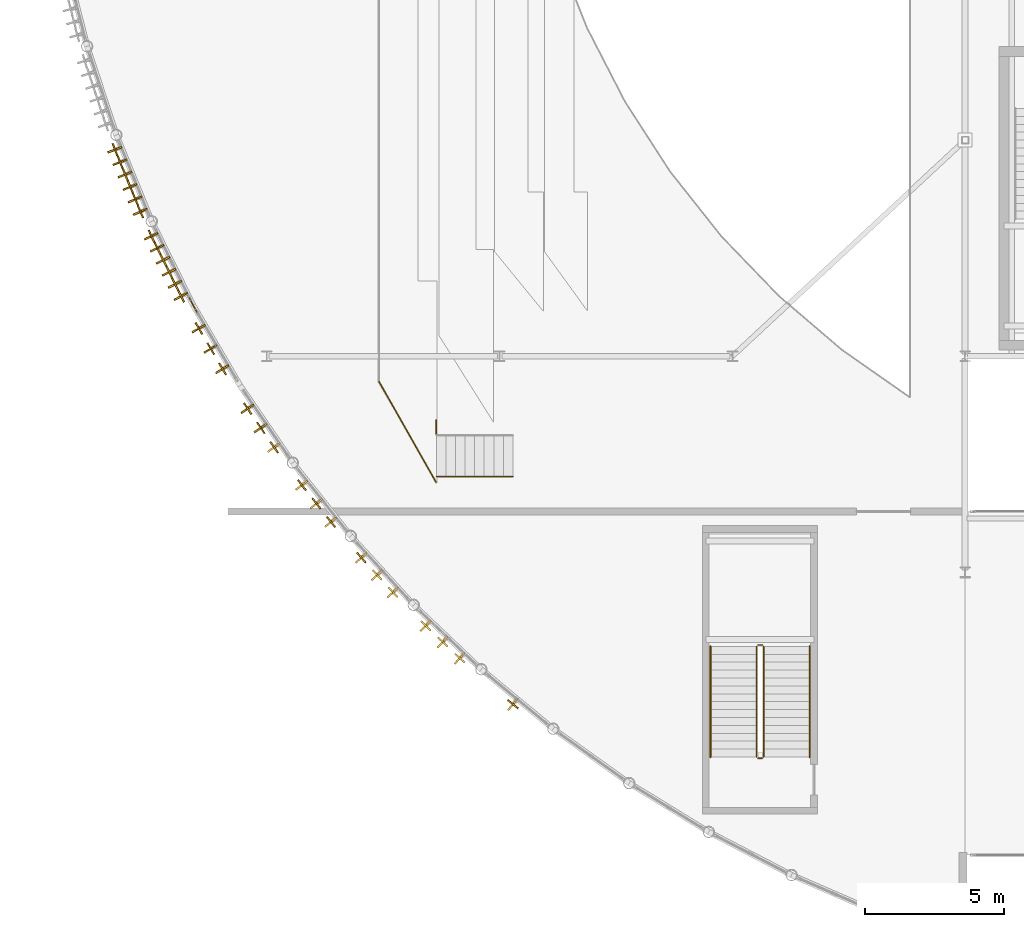
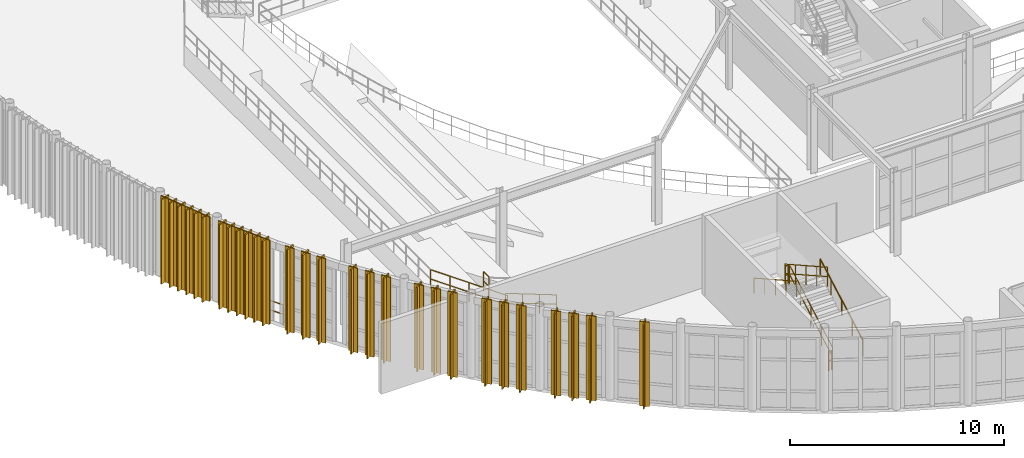
# One storey, part 106 of 116: 28 coverings, 28 shading devices, 10 railings.
"""IFC4 building model written with IfcOpenShell, lengths in metres."""

from ifc_helpers import new_model, si_unit, direction, frame, origin, origin_2d, place, context, subcontext, project, spatial, polyline, rectangle, circle, outline, extrude, material, layer, layer_set, material_profile, profile_set, type_object, element, save


model = new_model("IFC4")

# Units and contexts
model_context = context("Model", 3, precision=1e-05, world=origin(), true_north=direction((0.0, 1.0)))
body_context = subcontext(model_context, "Body", "Model", "MODEL_VIEW")
ifc_project = project(units=[si_unit("LENGTHUNIT", "METRE"), si_unit("AREAUNIT", "SQUARE_METRE"), si_unit("VOLUMEUNIT", "CUBIC_METRE"), si_unit("PLANEANGLEUNIT", "RADIAN"), si_unit("MASSUNIT", "GRAM", prefix="KILO")], contexts=[model_context])

# Site, building, storey
site_placement = place(None, origin())
site = spatial("IfcSite", under=ifc_project, at=site_placement, CompositionType="ELEMENT")
building_placement = place(site_placement, origin())
building = spatial("IfcBuilding", under=site, at=building_placement, Name="Selat Folded Stagehouse", CompositionType="ELEMENT")
storey_placement = place(building_placement, frame((0.0, 0.0, 5.39990234375)))
storey = spatial("IfcBuildingStorey", under=building, at=storey_placement, Name="L01", CompositionType="ELEMENT", Elevation=5.39990234375)

# Coverings
ifc_material_1 = material(Name="Bronze-anodised aluminium 6063-T6", Category="aluminium")
ifc_layer_1 = layer(ifc_material_1, 0.06201171875)
ifc_layer_set_1 = layer_set([ifc_layer_1], Name="Bronze-anodised aluminium 6063-T6")
covering_type = type_object("IfcCoveringType", Name="COV-FIN-BRZ48", PredefinedType="CLADDING", material=ifc_layer_set_1)
covering_1_placement = place(storey_placement, frame((0.0, 0.0, -0.099853515625)))
element("IfcCovering", 1, at=covering_1_placement, inside=storey, type_object=covering_type, Name="L01 drum bronze fin cladding sheath 248", PredefinedType="CLADDING", context=body_context, shape_type="SweptSolid", body=[
    extrude(outline(polyline([(3.1572265625, 30.975830078125), (2.652587890625, 30.78369140625), (2.67529296875, 30.72412109375), (3.179931640625, 30.916015625), (3.1572265625, 30.975830078125)])), origin(), (0.0, 0.0, 1.0), 4.820068359375),
])
covering_2_placement = place(storey_placement, frame((0.0, 0.0, -0.099853515625)))
element("IfcCovering", 2, at=covering_2_placement, inside=storey, type_object=covering_type, Name="L01 drum bronze fin cladding sheath 254", PredefinedType="CLADDING", context=body_context, shape_type="SweptSolid", body=[
    extrude(outline(polyline([(3.339111328125, 30.530517578125), (2.83642578125, 30.33349609375), (2.85986328125, 30.27392578125), (3.362548828125, 30.470947265625), (3.339111328125, 30.530517578125)])), origin(), (0.0, 0.0, 1.0), 4.820068359375),
])
covering_3_placement = place(storey_placement, frame((0.0, 0.0, -0.099853515625)))
element("IfcCovering", 3, at=covering_3_placement, inside=storey, type_object=covering_type, Name="L01 drum bronze fin cladding sheath 260", PredefinedType="CLADDING", context=body_context, shape_type="SweptSolid", body=[
    extrude(outline(polyline([(3.521240234375, 30.085205078125), (3.0205078125, 29.883056640625), (3.04443359375, 29.82373046875), (3.545166015625, 30.02587890625), (3.521240234375, 30.085205078125)])), origin(), (0.0, 0.0, 1.0), 4.820068359375),
])
covering_4_placement = place(storey_placement, frame((0.0, 0.0, -0.099853515625)))
element("IfcCovering", 4, at=covering_4_placement, inside=storey, type_object=covering_type, Name="L01 drum bronze fin cladding sheath 266", PredefinedType="CLADDING", context=body_context, shape_type="SweptSolid", body=[
    extrude(outline(polyline([(3.703125, 29.639892578125), (3.20458984375, 29.4326171875), (3.22900390625, 29.37353515625), (3.727783203125, 29.580810546875), (3.703125, 29.639892578125)])), origin(), (0.0, 0.0, 1.0), 4.820068359375),
])
covering_5_placement = place(storey_placement, frame((0.0, 0.0, -0.099853515625)))
element("IfcCovering", 5, at=covering_5_placement, inside=storey, type_object=covering_type, Name="L01 drum bronze fin cladding sheath 272", PredefinedType="CLADDING", context=body_context, shape_type="SweptSolid", body=[
    extrude(outline(polyline([(3.885009765625, 29.194580078125), (3.388427734375, 28.982421875), (3.413818359375, 28.923583984375), (3.910400390625, 29.135498046875), (3.885009765625, 29.194580078125)])), origin(), (0.0, 0.0, 1.0), 4.820068359375),
])
covering_6_placement = place(storey_placement, frame((0.0, 0.0, -0.099853515625)))
element("IfcCovering", 6, at=covering_6_placement, inside=storey, type_object=covering_type, Name="L01 drum bronze fin cladding sheath 278", PredefinedType="CLADDING", context=body_context, shape_type="SweptSolid", body=[
    extrude(outline(polyline([(4.067138671875, 28.7490234375), (3.57275390625, 28.531982421875), (3.598388671875, 28.473388671875), (4.0927734375, 28.6904296875), (4.067138671875, 28.7490234375)])), origin(), (0.0, 0.0, 1.0), 4.820068359375),
])
covering_7_placement = place(storey_placement, frame((0.0, 0.0, -0.099853515625)))
element("IfcCovering", 7, at=covering_7_placement, inside=storey, type_object=covering_type, Name="L01 drum bronze fin cladding sheath 284", PredefinedType="CLADDING", context=body_context, shape_type="SweptSolid", body=[
    extrude(outline(polyline([(4.4619140625, 27.872314453125), (3.9716796875, 27.6455078125), (3.998779296875, 27.58740234375), (4.48876953125, 27.814208984375), (4.4619140625, 27.872314453125)])), origin(), (0.0, 0.0, 1.0), 4.820068359375),
])
covering_8_placement = place(storey_placement, frame((0.0, 0.0, -0.099853515625)))
element("IfcCovering", 8, at=covering_8_placement, inside=storey, type_object=covering_type, Name="L01 drum bronze fin cladding sheath 290", PredefinedType="CLADDING", context=body_context, shape_type="SweptSolid", body=[
    extrude(outline(polyline([(4.674560546875, 27.44091796875), (4.18701171875, 27.208984375), (4.21435546875, 27.151123046875), (4.7021484375, 27.383056640625), (4.674560546875, 27.44091796875)])), origin(), (0.0, 0.0, 1.0), 4.820068359375),
])
covering_9_placement = place(storey_placement, frame((0.0, 0.0, -0.099853515625)))
element("IfcCovering", 9, at=covering_9_placement, inside=storey, type_object=covering_type, Name="L01 drum bronze fin cladding sheath 296", PredefinedType="CLADDING", context=body_context, shape_type="SweptSolid", body=[
    extrude(outline(polyline([(4.887451171875, 27.00927734375), (4.402099609375, 26.772705078125), (4.43017578125, 26.715087890625), (4.915283203125, 26.951904296875), (4.887451171875, 27.00927734375)])), origin(), (0.0, 0.0, 1.0), 4.820068359375),
])
covering_10_placement = place(storey_placement, frame((0.0, 0.0, -0.099853515625)))
element("IfcCovering", 10, at=covering_10_placement, inside=storey, type_object=covering_type, Name="L01 drum bronze fin cladding sheath 302", PredefinedType="CLADDING", context=body_context, shape_type="SweptSolid", body=[
    extrude(outline(polyline([(5.10009765625, 26.577880859375), (4.6171875, 26.336181640625), (4.645751953125, 26.279052734375), (5.12890625, 26.5205078125), (5.10009765625, 26.577880859375)])), origin(), (0.0, 0.0, 1.0), 4.820068359375),
])
covering_11_placement = place(storey_placement, frame((0.0, 0.0, -0.099853515625)))
element("IfcCovering", 11, at=covering_11_placement, inside=storey, type_object=covering_type, Name="L01 drum bronze fin cladding sheath 308", PredefinedType="CLADDING", context=body_context, shape_type="SweptSolid", body=[
    extrude(outline(polyline([(5.31298828125, 26.146484375), (4.83251953125, 25.89990234375), (4.861572265625, 25.843017578125), (5.342041015625, 26.08935546875), (5.31298828125, 26.146484375)])), origin(), (0.0, 0.0, 1.0), 4.820068359375),
])
covering_12_placement = place(storey_placement, frame((0.0, 0.0, -0.099853515625)))
element("IfcCovering", 12, at=covering_12_placement, inside=storey, type_object=covering_type, Name="L01 drum bronze fin cladding sheath 314", PredefinedType="CLADDING", context=body_context, shape_type="SweptSolid", body=[
    extrude(outline(polyline([(5.525634765625, 25.71484375), (5.047607421875, 25.463623046875), (5.077392578125, 25.406982421875), (5.555419921875, 25.658203125), (5.525634765625, 25.71484375)])), origin(), (0.0, 0.0, 1.0), 4.820068359375),
])
covering_13_placement = place(storey_placement, frame((0.0, 0.0, -0.099853515625)))
element("IfcCovering", 13, at=covering_13_placement, inside=storey, type_object=covering_type, Name="L01 drum bronze fin cladding sheath 320", PredefinedType="CLADDING", context=body_context, shape_type="SweptSolid", body=[
    extrude(outline(polyline([(6.162841796875, 24.556396484375), (5.69189453125, 24.2919921875), (5.72314453125, 24.236083984375), (6.194091796875, 24.50048828125), (6.162841796875, 24.556396484375)])), origin(), (0.0, 0.0, 1.0), 4.820068359375),
])
covering_14_placement = place(storey_placement, frame((0.0, 0.0, -0.099853515625)))
element("IfcCovering", 14, at=covering_14_placement, inside=storey, type_object=covering_type, Name="L01 drum bronze fin cladding sheath 326", PredefinedType="CLADDING", context=body_context, shape_type="SweptSolid", body=[
    extrude(outline(polyline([(6.587158203125, 23.8291015625), (6.12109375, 23.556640625), (6.1533203125, 23.50146484375), (6.619384765625, 23.77392578125), (6.587158203125, 23.8291015625)])), origin(), (0.0, 0.0, 1.0), 4.820068359375),
])
covering_15_placement = place(storey_placement, frame((0.0, 0.0, -0.099853515625)))
element("IfcCovering", 15, at=covering_15_placement, inside=storey, type_object=covering_type, Name="L01 drum bronze fin cladding sheath 332", PredefinedType="CLADDING", context=body_context, shape_type="SweptSolid", body=[
    extrude(outline(polyline([(7.01171875, 23.10205078125), (6.55029296875, 22.8212890625), (6.58349609375, 22.7666015625), (7.044921875, 23.04736328125), (7.01171875, 23.10205078125)])), origin(), (0.0, 0.0, 1.0), 4.820068359375),
])
covering_16_placement = place(storey_placement, frame((0.0, 0.0, -0.099853515625)))
element("IfcCovering", 16, at=covering_16_placement, inside=storey, type_object=covering_type, Name="L01 drum bronze fin cladding sheath 338", PredefinedType="CLADDING", context=body_context, shape_type="SweptSolid", body=[
    extrude(outline(polyline([(7.910400390625, 21.679443359375), (7.458984375, 21.3828125), (7.494384765625, 21.329345703125), (7.945556640625, 21.6259765625), (7.910400390625, 21.679443359375)])), origin(), (0.0, 0.0, 1.0), 4.820068359375),
])
covering_17_placement = place(storey_placement, frame((0.0, 0.0, -0.099853515625)))
element("IfcCovering", 17, at=covering_17_placement, inside=storey, type_object=covering_type, Name="L01 drum bronze fin cladding sheath 344", PredefinedType="CLADDING", context=body_context, shape_type="SweptSolid", body=[
    extrude(outline(polyline([(8.384765625, 20.98388671875), (7.938720703125, 20.67919921875), (7.974853515625, 20.62646484375), (8.4208984375, 20.930908203125), (8.384765625, 20.98388671875)])), origin(), (0.0, 0.0, 1.0), 4.820068359375),
])
covering_18_placement = place(storey_placement, frame((0.0, 0.0, -0.099853515625)))
element("IfcCovering", 18, at=covering_18_placement, inside=storey, type_object=covering_type, Name="L01 drum bronze fin cladding sheath 350", PredefinedType="CLADDING", context=body_context, shape_type="SweptSolid", body=[
    extrude(outline(polyline([(8.85888671875, 20.288330078125), (8.41845703125, 19.97607421875), (8.45556640625, 19.923828125), (8.89599609375, 20.236083984375), (8.85888671875, 20.288330078125)])), origin(), (0.0, 0.0, 1.0), 4.820068359375),
])
covering_19_placement = place(storey_placement, frame((0.0, 0.0, -0.099853515625)))
element("IfcCovering", 19, at=covering_19_placement, inside=storey, type_object=covering_type, Name="L01 drum bronze fin cladding sheath 356", PredefinedType="CLADDING", context=body_context, shape_type="SweptSolid", body=[
    extrude(outline(polyline([(9.855224609375, 18.93212890625), (9.426025390625, 18.6044921875), (9.46484375, 18.5537109375), (9.89404296875, 18.88134765625), (9.855224609375, 18.93212890625)])), origin(), (0.0, 0.0, 1.0), 4.820068359375),
])
covering_20_placement = place(storey_placement, frame((0.0, 0.0, -0.099853515625)))
element("IfcCovering", 20, at=covering_20_placement, inside=storey, type_object=covering_type, Name="L01 drum bronze fin cladding sheath 362", PredefinedType="CLADDING", context=body_context, shape_type="SweptSolid", body=[
    extrude(outline(polyline([(10.377197265625, 18.271484375), (9.953857421875, 17.9365234375), (9.993408203125, 17.88623046875), (10.4169921875, 18.221435546875), (10.377197265625, 18.271484375)])), origin(), (0.0, 0.0, 1.0), 4.820068359375),
])
covering_21_placement = place(storey_placement, frame((0.0, 0.0, -0.099853515625)))
element("IfcCovering", 21, at=covering_21_placement, inside=storey, type_object=covering_type, Name="L01 drum bronze fin cladding sheath 368", PredefinedType="CLADDING", context=body_context, shape_type="SweptSolid", body=[
    extrude(outline(polyline([(10.899169921875, 17.611083984375), (10.481689453125, 17.2685546875), (10.522216796875, 17.218994140625), (10.939697265625, 17.5615234375), (10.899169921875, 17.611083984375)])), origin(), (0.0, 0.0, 1.0), 4.820068359375),
])
covering_22_placement = place(storey_placement, frame((0.0, 0.0, -0.099853515625)))
element("IfcCovering", 22, at=covering_22_placement, inside=storey, type_object=covering_type, Name="L01 drum bronze fin cladding sheath 374", PredefinedType="CLADDING", context=body_context, shape_type="SweptSolid", body=[
    extrude(outline(polyline([(11.98828125, 16.328125), (11.5830078125, 15.97119140625), (11.625244140625, 15.923095703125), (12.030517578125, 16.280029296875), (11.98828125, 16.328125)])), origin(), (0.0, 0.0, 1.0), 4.820068359375),
])
covering_23_placement = place(storey_placement, frame((0.0, 0.0, -0.099853515625)))
element("IfcCovering", 23, at=covering_23_placement, inside=storey, type_object=covering_type, Name="L01 drum bronze fin cladding sheath 380", PredefinedType="CLADDING", context=body_context, shape_type="SweptSolid", body=[
    extrude(outline(polyline([(12.555419921875, 15.705810546875), (12.15625, 15.341796875), (12.199462890625, 15.294677734375), (12.598388671875, 15.658447265625), (12.555419921875, 15.705810546875)])), origin(), (0.0, 0.0, 1.0), 4.820068359375),
])
covering_24_placement = place(storey_placement, frame((0.0, 0.0, -0.099853515625)))
element("IfcCovering", 24, at=covering_24_placement, inside=storey, type_object=covering_type, Name="L01 drum bronze fin cladding sheath 386", PredefinedType="CLADDING", context=body_context, shape_type="SweptSolid", body=[
    extrude(outline(polyline([(13.122314453125, 15.08349609375), (12.729736328125, 14.712646484375), (12.773681640625, 14.666015625), (13.166259765625, 15.037109375), (13.122314453125, 15.08349609375)])), origin(), (0.0, 0.0, 1.0), 4.820068359375),
])
covering_25_placement = place(storey_placement, frame((0.0, 0.0, -0.099853515625)))
element("IfcCovering", 25, at=covering_25_placement, inside=storey, type_object=covering_type, Name="L01 drum bronze fin cladding sheath 392", PredefinedType="CLADDING", context=body_context, shape_type="SweptSolid", body=[
    extrude(outline(polyline([(14.298583984375, 13.880126953125), (13.919189453125, 13.49560546875), (13.96484375, 13.45068359375), (14.343994140625, 13.835205078125), (14.298583984375, 13.880126953125)])), origin(), (0.0, 0.0, 1.0), 4.820068359375),
])
covering_26_placement = place(storey_placement, frame((0.0, 0.0, -0.099853515625)))
element("IfcCovering", 26, at=covering_26_placement, inside=storey, type_object=covering_type, Name="L01 drum bronze fin cladding sheath 398", PredefinedType="CLADDING", context=body_context, shape_type="SweptSolid", body=[
    extrude(outline(polyline([(14.90771484375, 13.299072265625), (14.535400390625, 12.908203125), (14.581787109375, 12.864013671875), (14.9541015625, 13.2548828125), (14.90771484375, 13.299072265625)])), origin(), (0.0, 0.0, 1.0), 4.820068359375),
])
covering_27_placement = place(storey_placement, frame((0.0, 0.0, -0.099853515625)))
element("IfcCovering", 27, at=covering_27_placement, inside=storey, type_object=covering_type, Name="L01 drum bronze fin cladding sheath 404", PredefinedType="CLADDING", context=body_context, shape_type="SweptSolid", body=[
    extrude(outline(polyline([(15.51708984375, 12.718017578125), (15.151611328125, 12.320556640625), (15.19873046875, 12.277099609375), (15.564208984375, 12.6748046875), (15.51708984375, 12.718017578125)])), origin(), (0.0, 0.0, 1.0), 4.820068359375),
])
covering_28_placement = place(storey_placement, frame((0.0, 0.0, -0.099853515625)))
element("IfcCovering", 28, at=covering_28_placement, inside=storey, type_object=covering_type, Name="L01 drum bronze fin cladding sheath 410", PredefinedType="CLADDING", context=body_context, shape_type="SweptSolid", body=[
    extrude(outline(polyline([(17.42333984375, 11.0634765625), (17.079345703125, 10.647216796875), (17.128662109375, 10.6064453125), (17.47265625, 11.022705078125), (17.42333984375, 11.0634765625)])), origin(), (0.0, 0.0, 1.0), 4.820068359375),
])

# Railings
ifc_material_2 = material(Name="Bronze-anodised steel balustrade", Category="steel")
ifc_layer_2 = layer(ifc_material_2, 0.06494140625)
ifc_layer_set_2 = layer_set([ifc_layer_2], Name="Bronze-anodised steel balustrade")
railing_type_1 = type_object("IfcRailingType", Name="RLG-BAL-1120", PredefinedType="BALUSTRADE", material=ifc_layer_set_2)
railing_1_placement = place(storey_placement, frame((14.510009765625, 18.85009765625, 1.215087890625)))
element("IfcRailing", 29, at=railing_1_placement, inside=storey, type_object=railing_type_1, Name="L01 protective guard railing 016", PredefinedType="BALUSTRADE", context=body_context, shape_type="SweptSolid", body=[
    extrude(circle(Radius=0.02392578125, at=origin_2d()), frame((0.0, 0.0, 1.09619140625), z_axis=(-0.492952135797, 0.870056430247, 0.0), x_axis=(-0.870056430247, -0.492952135797, 0.0)), (0.0, 0.0, 1.0), 4.178955078125),
    extrude(circle(Radius=0.02392578125, at=origin_2d()), frame((0.0, 0.0, 0.56005859375), z_axis=(-0.492952135797, 0.870056430247, 0.0), x_axis=(-0.870056430247, -0.492952135797, 0.0)), (0.0, 0.0, 1.0), 4.178955078125),
    extrude(circle(Radius=0.02099609375, at=origin_2d()), origin(), (0.0, 0.0, 1.0), 1.072021484375),
    extrude(circle(Radius=0.02099609375, at=origin_2d()), frame((-0.51513671875, 0.908935546875, 0.0)), (0.0, 0.0, 1.0), 1.072021484375),
    extrude(circle(Radius=0.02099609375, at=origin_2d()), frame((-1.030029296875, 1.81787109375, 0.0)), (0.0, 0.0, 1.0), 1.072021484375),
    extrude(circle(Radius=0.02099609375, at=origin_2d()), frame((-1.544921875, 2.72705078125, 0.0)), (0.0, 0.0, 1.0), 1.072021484375),
    extrude(circle(Radius=0.02099609375, at=origin_2d()), frame((-2.06005859375, 3.635986328125, 0.0)), (0.0, 0.0, 1.0), 1.072021484375),
])
railing_2_placement = place(storey_placement, frame((14.510009765625, 20.60009765625, 1.215087890625)))
element("IfcRailing", 30, at=railing_2_placement, inside=storey, type_object=railing_type_1, Name="L01 protective guard railing 019", PredefinedType="BALUSTRADE", context=body_context, shape_type="SweptSolid", body=[
    extrude(circle(Radius=0.02392578125, at=origin_2d()), frame((0.0, 0.0, 1.09619140625), z_axis=(0.0, 1.0, 0.0), x_axis=(-1.0, 0.0, 0.0)), (0.0, 0.0, 1.0), 0.5),
    extrude(circle(Radius=0.02392578125, at=origin_2d()), frame((0.0, 0.0, 0.56005859375), z_axis=(0.0, 1.0, 0.0), x_axis=(-1.0, 0.0, 0.0)), (0.0, 0.0, 1.0), 0.5),
    extrude(circle(Radius=0.02099609375, at=origin_2d()), origin(), (0.0, 0.0, 1.0), 1.072021484375),
    extrude(circle(Radius=0.02099609375, at=origin_2d()), frame((0.0, 0.5, 0.0)), (0.0, 0.0, 1.0), 1.072021484375),
])
railing_3_placement = place(storey_placement, frame((5.89990234375, 24.949951171875, 0.0)))
element("IfcRailing", 31, at=railing_3_placement, inside=storey, type_object=railing_type_1, Name="L01 drum mullion step guard", PredefinedType="BALUSTRADE", context=body_context, shape_type="SweptSolid", body=[
    extrude(circle(Radius=0.02392578125, at=origin_2d()), frame((0.0, 0.0, 1.09619140625), z_axis=(-0.473863173151, 0.880598485765, 0.0), x_axis=(-0.880598485765, -0.473863173151, 0.0)), (0.0, 0.0, 1.0), 0.73828125),
    extrude(circle(Radius=0.02392578125, at=origin_2d()), frame((0.0, 0.0, 0.56005859375), z_axis=(-0.473863173151, 0.880598485765, 0.0), x_axis=(-0.880598485765, -0.473863173151, 0.0)), (0.0, 0.0, 1.0), 0.73828125),
    extrude(circle(Radius=0.02099609375, at=origin_2d()), origin(), (0.0, 0.0, 1.0), 1.072021484375),
    extrude(circle(Radius=0.02099609375, at=origin_2d()), frame((-0.349853515625, 0.650146484375, 0.0)), (0.0, 0.0, 1.0), 1.072021484375),
])
railing_4_placement = place(storey_placement, frame((26.330078125, 8.93994140625, 0.16015625)))
element("IfcRailing", 32, at=railing_4_placement, inside=storey, type_object=railing_type_1, Name="L01 ST-09 stair well guard 1", PredefinedType="BALUSTRADE", context=body_context, shape_type="SweptSolid", body=[
    extrude(circle(Radius=0.02392578125, at=origin_2d()), frame((0.0, 0.0, 1.09619140625), z_axis=(0.0, 0.871984184956, 0.489534044972), x_axis=(-1.0, 0.0, 0.0)), (0.0, 0.0, 1.0), 4.57568359375),
    extrude(circle(Radius=0.02392578125, at=origin_2d()), frame((0.0, 0.0, 0.56005859375), z_axis=(0.0, 0.871984184956, 0.489534044972), x_axis=(-1.0, 0.0, 0.0)), (0.0, 0.0, 1.0), 4.57568359375),
    extrude(circle(Radius=0.02099609375, at=origin_2d()), origin(), (0.0, 0.0, 1.0), 1.072021484375),
    extrude(circle(Radius=0.02099609375, at=origin_2d()), frame((0.0, 0.99755859375, 0.56005859375)), (0.0, 0.0, 1.0), 1.072021484375),
    extrude(circle(Radius=0.02099609375, at=origin_2d()), frame((0.0, 1.9951171875, 1.1201171875)), (0.0, 0.0, 1.0), 1.072021484375),
    extrude(circle(Radius=0.02099609375, at=origin_2d()), frame((0.0, 2.992431640625, 1.679931640625)), (0.0, 0.0, 1.0), 1.072021484375),
    extrude(circle(Radius=0.02099609375, at=origin_2d()), frame((0.0, 3.989990234375, 2.239990234375)), (0.0, 0.0, 1.0), 1.072021484375),
])
railing_5_placement = place(storey_placement, frame((26.280029296875, 12.97998046875, 2.400146484375)))
element("IfcRailing", 33, at=railing_5_placement, inside=storey, type_object=railing_type_1, Name="L01 ST-09 stair well guard 2", PredefinedType="BALUSTRADE", context=body_context, shape_type="SweptSolid", body=[
    extrude(circle(Radius=0.02392578125, at=origin_2d()), frame((0.0, 0.0, 1.09619140625), z_axis=(-1.0, 0.0, 0.0), x_axis=(0.0, -1.0, 0.0)), (0.0, 0.0, 1.0), 0.159912109375),
    extrude(circle(Radius=0.02392578125, at=origin_2d()), frame((0.0, 0.0, 0.56005859375), z_axis=(-1.0, 0.0, 0.0), x_axis=(0.0, -1.0, 0.0)), (0.0, 0.0, 1.0), 0.159912109375),
    extrude(circle(Radius=0.02099609375, at=origin_2d()), origin(), (0.0, 0.0, 1.0), 1.072021484375),
    extrude(circle(Radius=0.02099609375, at=origin_2d()), frame((-0.159912109375, 0.0, 0.0)), (0.0, 0.0, 1.0), 1.072021484375),
])
railing_6_placement = place(storey_placement, frame((26.070068359375, 12.929931640625, 2.56005859375)))
element("IfcRailing", 34, at=railing_6_placement, inside=storey, type_object=railing_type_1, Name="L01 ST-09 stair well guard 3", PredefinedType="BALUSTRADE", context=body_context, shape_type="SweptSolid", body=[
    extrude(circle(Radius=0.02392578125, at=origin_2d()), frame((0.0, 0.0, 1.09619140625), z_axis=(0.0, -0.871984184956, 0.489534044972), x_axis=(1.0, 0.0, 0.0)), (0.0, 0.0, 1.0), 4.57568359375),
    extrude(circle(Radius=0.02392578125, at=origin_2d()), frame((0.0, 0.0, 0.56005859375), z_axis=(0.0, -0.871984184956, 0.489534044972), x_axis=(1.0, 0.0, 0.0)), (0.0, 0.0, 1.0), 4.57568359375),
    extrude(circle(Radius=0.02099609375, at=origin_2d()), origin(), (0.0, 0.0, 1.0), 1.072021484375),
    extrude(circle(Radius=0.02099609375, at=origin_2d()), frame((0.0, -0.99755859375, 0.56005859375)), (0.0, 0.0, 1.0), 1.072021484375),
    extrude(circle(Radius=0.02099609375, at=origin_2d()), frame((0.0, -1.9951171875, 1.1201171875)), (0.0, 0.0, 1.0), 1.072021484375),
    extrude(circle(Radius=0.02099609375, at=origin_2d()), frame((0.0, -2.992431640625, 1.679931640625)), (0.0, 0.0, 1.0), 1.072021484375),
    extrude(circle(Radius=0.02099609375, at=origin_2d()), frame((0.0, -3.989990234375, 2.239990234375)), (0.0, 0.0, 1.0), 1.072021484375),
])
railing_7_placement = place(storey_placement, frame((26.280029296875, 8.889892578125, 0.0)))
element("IfcRailing", 35, at=railing_7_placement, inside=storey, type_object=railing_type_1, Name="L01 ST-09 stair well guard 4", PredefinedType="BALUSTRADE", context=body_context, shape_type="SweptSolid", body=[
    extrude(circle(Radius=0.02392578125, at=origin_2d()), frame((0.0, 0.0, 1.09619140625), z_axis=(-1.0, 0.0, 0.0), x_axis=(0.0, -1.0, 0.0)), (0.0, 0.0, 1.0), 0.159912109375),
    extrude(circle(Radius=0.02392578125, at=origin_2d()), frame((0.0, 0.0, 0.56005859375), z_axis=(-1.0, 0.0, 0.0), x_axis=(0.0, -1.0, 0.0)), (0.0, 0.0, 1.0), 0.159912109375),
    extrude(circle(Radius=0.02099609375, at=origin_2d()), origin(), (0.0, 0.0, 1.0), 1.072021484375),
    extrude(circle(Radius=0.02099609375, at=origin_2d()), frame((-0.159912109375, 0.0, 0.0)), (0.0, 0.0, 1.0), 1.072021484375),
])
railing_8_placement = place(storey_placement, frame((17.280029296875, 19.06005859375, 0.16015625)))
element("IfcRailing", 36, at=railing_8_placement, inside=storey, type_object=railing_type_1, Name="L01 aisle stair balustrade STA-MT-L01-S-S", PredefinedType="BALUSTRADE", context=body_context, shape_type="SweptSolid", body=[
    extrude(circle(Radius=0.02392578125, at=origin_2d()), frame((0.0, 0.0, 1.09619140625), z_axis=(-0.934093173048, 0.0, 0.357029332219), x_axis=(0.0, -1.0, 0.0)), (0.0, 0.0, 1.0), 2.954833984375),
    extrude(circle(Radius=0.02392578125, at=origin_2d()), frame((0.0, 0.0, 0.56005859375), z_axis=(-0.934093173048, 0.0, 0.357029332219), x_axis=(0.0, -1.0, 0.0)), (0.0, 0.0, 1.0), 2.954833984375),
    extrude(circle(Radius=0.02099609375, at=origin_2d()), origin(), (0.0, 0.0, 1.0), 1.072021484375),
    extrude(circle(Radius=0.02099609375, at=origin_2d()), frame((-0.919921875, 0.0, 0.3515625)), (0.0, 0.0, 1.0), 1.072021484375),
    extrude(circle(Radius=0.02099609375, at=origin_2d()), frame((-1.840087890625, 0.0, 0.703369140625)), (0.0, 0.0, 1.0), 1.072021484375),
    extrude(circle(Radius=0.02099609375, at=origin_2d()), frame((-2.760009765625, 0.0, 1.054931640625)), (0.0, 0.0, 1.0), 1.072021484375),
])
ifc_material_3 = material(Name="Brushed stainless steel 1.4301", Category="steel")
ifc_layer_3 = layer(ifc_material_3, 0.048095703125)
ifc_layer_set_3 = layer_set([ifc_layer_3], Name="Brushed stainless steel 1.4301")
railing_type_2 = type_object("IfcRailingType", Name="RLG-HANDRAIL-900", PredefinedType="HANDRAIL", material=ifc_layer_set_3)
railing_9_placement = place(storey_placement, frame((27.989990234375, 8.93994140625, 0.16015625)))
element("IfcRailing", 37, at=railing_9_placement, inside=storey, type_object=railing_type_2, Name="L01 ST-09 wall handrail 1", PredefinedType="HANDRAIL", context=body_context, shape_type="SweptSolid", body=[
    extrude(circle(Radius=0.02392578125, at=origin_2d()), frame((0.0, 0.0, 0.8759765625), z_axis=(0.0, 0.871984184956, 0.489534044972), x_axis=(-1.0, 0.0, 0.0)), (0.0, 0.0, 1.0), 4.57568359375),
    extrude(circle(Radius=0.02099609375, at=origin_2d()), origin(), (0.0, 0.0, 1.0), 0.851806640625),
    extrude(circle(Radius=0.02099609375, at=origin_2d()), frame((0.0, 0.99755859375, 0.56005859375)), (0.0, 0.0, 1.0), 0.851806640625),
    extrude(circle(Radius=0.02099609375, at=origin_2d()), frame((0.0, 1.9951171875, 1.1201171875)), (0.0, 0.0, 1.0), 0.851806640625),
    extrude(circle(Radius=0.02099609375, at=origin_2d()), frame((0.0, 2.992431640625, 1.679931640625)), (0.0, 0.0, 1.0), 0.851806640625),
    extrude(circle(Radius=0.02099609375, at=origin_2d()), frame((0.0, 3.989990234375, 2.239990234375)), (0.0, 0.0, 1.0), 0.851806640625),
])
railing_10_placement = place(storey_placement, frame((24.409912109375, 12.929931640625, 2.56005859375)))
element("IfcRailing", 38, at=railing_10_placement, inside=storey, type_object=railing_type_2, Name="L01 ST-09 wall handrail 2", PredefinedType="HANDRAIL", context=body_context, shape_type="SweptSolid", body=[
    extrude(circle(Radius=0.02392578125, at=origin_2d()), frame((0.0, 0.0, 0.8759765625), z_axis=(0.0, -0.871984184956, 0.489534044972), x_axis=(1.0, 0.0, 0.0)), (0.0, 0.0, 1.0), 4.57568359375),
    extrude(circle(Radius=0.02099609375, at=origin_2d()), origin(), (0.0, 0.0, 1.0), 0.851806640625),
    extrude(circle(Radius=0.02099609375, at=origin_2d()), frame((0.0, -0.99755859375, 0.56005859375)), (0.0, 0.0, 1.0), 0.851806640625),
    extrude(circle(Radius=0.02099609375, at=origin_2d()), frame((0.0, -1.9951171875, 1.1201171875)), (0.0, 0.0, 1.0), 0.851806640625),
    extrude(circle(Radius=0.02099609375, at=origin_2d()), frame((0.0, -2.992431640625, 1.679931640625)), (0.0, 0.0, 1.0), 0.851806640625),
    extrude(circle(Radius=0.02099609375, at=origin_2d()), frame((0.0, -3.989990234375, 2.239990234375)), (0.0, 0.0, 1.0), 0.851806640625),
])

# Shading devices
ifc_material_profile = material_profile(ifc_material_1, rectangle(XDim=0.06005859375, YDim=0.47998046875, at=origin_2d()), Name="SOLAR-FIN 480x60")
ifc_profile_set = profile_set([ifc_material_profile], Name="Bronze-anodised aluminium 6063-T6")
shading_device_type = type_object("IfcShadingDeviceType", Name="SHD-FIN-480x60", PredefinedType="USERDEFINED", material=ifc_profile_set)
for number, where, z_axis, x_axis, name in (
    (39, (2.925537109375, 30.853515625, -0.099853515625), (0.0, 0.0, 1.0), (-0.93463961469, -0.355596387288, 0.0), "L01 drum vertical bronze solar fin 248"),
    (40, (3.10888671875, 30.40576171875, -0.099853515625), (0.0, 0.0, 1.0), (-0.931055815863, -0.364876784338, 0.0), "L01 drum vertical bronze solar fin 254"),
    (41, (3.2919921875, 29.958251953125, -0.099853515625), (0.0, 0.0, 1.0), (-0.927314560446, -0.374282922379, 0.0), "L01 drum vertical bronze solar fin 260"),
    (42, (3.475341796875, 29.510498046875, -0.099853515625), (0.0, 0.0, 1.0), (-0.923545226472, -0.383489523534, 0.0), "L01 drum vertical bronze solar fin 266"),
    (43, (3.65869140625, 29.06298828125, -0.099853515625), (0.0, 0.0, 1.0), (-0.91961594401, -0.392818680211, 0.0), "L01 drum vertical bronze solar fin 272"),
    (44, (3.841796875, 28.615234375, -0.099853515625), (0.0, 0.0, 1.0), (-0.91566259334, -0.401947776656, 0.0), "L01 drum vertical bronze solar fin 278"),
    (45, (4.239501953125, 27.73388671875, -0.099853515625), (0.0, 0.0, 1.0), (-0.907411091929, -0.420244107924, 0.0), "L01 drum vertical bronze solar fin 284"),
    (46, (4.45361328125, 27.30029296875, -0.099853515625), (0.0, 0.0, 1.0), (-0.903185511225, -0.429250430767, 0.0), "L01 drum vertical bronze solar fin 290"),
    (47, (4.667724609375, 26.86669921875, -0.099853515625), (0.0, 0.0, 1.0), (-0.898794046299, -0.438371146789, 0.0), "L01 drum vertical bronze solar fin 296"),
    (48, (4.8818359375, 26.432861328125, -0.099853515625), (0.0, 0.0, 1.0), (-0.89438856037, -0.447290848419, 0.0), "L01 drum vertical bronze solar fin 302"),
    (49, (5.09619140625, 25.999267578125, -0.099853515625), (0.0, 0.0, 1.0), (-0.889814927768, -0.4563215909, 0.0), "L01 drum vertical bronze solar fin 308"),
    (50, (5.310302734375, 25.565673828125, -0.099853515625), (0.0, 0.0, 1.0), (-0.885231311332, -0.465151078077, 0.0), "L01 drum vertical bronze solar fin 314"),
    (51, (5.951904296875, 24.401123046875, -0.099853515625), (0.0, 0.0, 1.0), (-0.872069272432, -0.489382451749, 0.0), "L01 drum vertical bronze solar fin 320"),
    (52, (6.37890625, 23.67041015625, -0.099853515625), (0.0, 0.0, 1.0), (-0.863307480775, -0.504678307081, 0.0), "L01 drum vertical bronze solar fin 326"),
    (53, (6.80615234375, 22.939697265625, -0.099853515625), (0.0, 0.0, 1.0), (-0.854368143929, -0.519668235165, 0.0), "L01 drum vertical bronze solar fin 332"),
    (54, (7.710693359375, 21.509765625, -0.099853515625), (0.0, 0.0, 1.0), (-0.835615665335, -0.549314536351, 0.0), "L01 drum vertical bronze solar fin 338"),
    (55, (8.18798828125, 20.810791015625, -0.099853515625), (0.0, 0.0, 1.0), (-0.82580311972, -0.563958515726, 0.0), "L01 drum vertical bronze solar fin 344"),
    (56, (8.665283203125, 20.11181640625, -0.099853515625), (0.0, 0.0, 1.0), (-0.815733970499, -0.578427255041, 0.0), "L01 drum vertical bronze solar fin 350"),
    (57, (9.66796875, 18.7490234375, -0.099853515625), (0.0, 0.0, 1.0), (-0.794944353388, -0.606682351002, 0.0), "L01 drum vertical bronze solar fin 356"),
    (58, (10.193115234375, 18.085205078125, -0.099853515625), (0.0, 0.0, 1.0), (-0.784235212544, -0.620463642292, 0.0), "L01 drum vertical bronze solar fin 362"),
    (59, (10.718505859375, 17.42138671875, -0.099853515625), (0.0, 0.0, 1.0), (-0.773176510644, -0.634190888762, 0.0), "L01 drum vertical bronze solar fin 368"),
    (60, (11.814208984375, 16.13232421875, -0.099853515625), (0.0, 0.0, 1.0), (-0.750457228874, -0.660919017453, 0.0), "L01 drum vertical bronze solar fin 374"),
    (61, (12.384765625, 15.5068359375, -0.099853515625), (0.0, 0.0, 1.0), (-0.738690671568, -0.674044576967, 0.0), "L01 drum vertical bronze solar fin 380"),
    (62, (12.955322265625, 14.881591796875, -0.099853515625), (0.0, 0.0, 1.0), (-0.726814465487, -0.686833846544, 0.0), "L01 drum vertical bronze solar fin 386"),
    (63, (14.138916015625, 13.672607421875, -0.099853515625), (0.0, 0.0, 1.0), (-0.702277314289, -0.711903486321, 0.0), "L01 drum vertical bronze solar fin 392"),
    (64, (14.751708984375, 13.0888671875, -0.099853515625), (0.0, 0.0, 1.0), (-0.689619543736, -0.724171861437, 0.0), "L01 drum vertical bronze solar fin 398"),
    (65, (15.36474609375, 12.5048828125, -0.099853515625), (0.0, 0.0, 1.0), (-0.676875969683, -0.73609708712, 0.0), "L01 drum vertical bronze solar fin 404"),
    (66, (17.282470703125, 10.842529296875, -0.099853515625), (0.0, 0.0, 1.0), (-0.63715499106, -0.770735698776, 0.0), "L01 drum vertical bronze solar fin 410"),
):
    element("IfcShadingDevice", number, at=place(storey_placement, frame(where, z_axis=z_axis, x_axis=x_axis)), inside=storey, type_object=shading_device_type, Name=name, ObjectType="FIN", PredefinedType="USERDEFINED", context=body_context, shape_type="SweptSolid", body=[
        extrude(rectangle(XDim=0.06005859375, YDim=0.47998046875, at=origin_2d()), origin(), (0.0, 0.0, 1.0), 4.820068359375),
    ])

save(model, "model.ifc")
